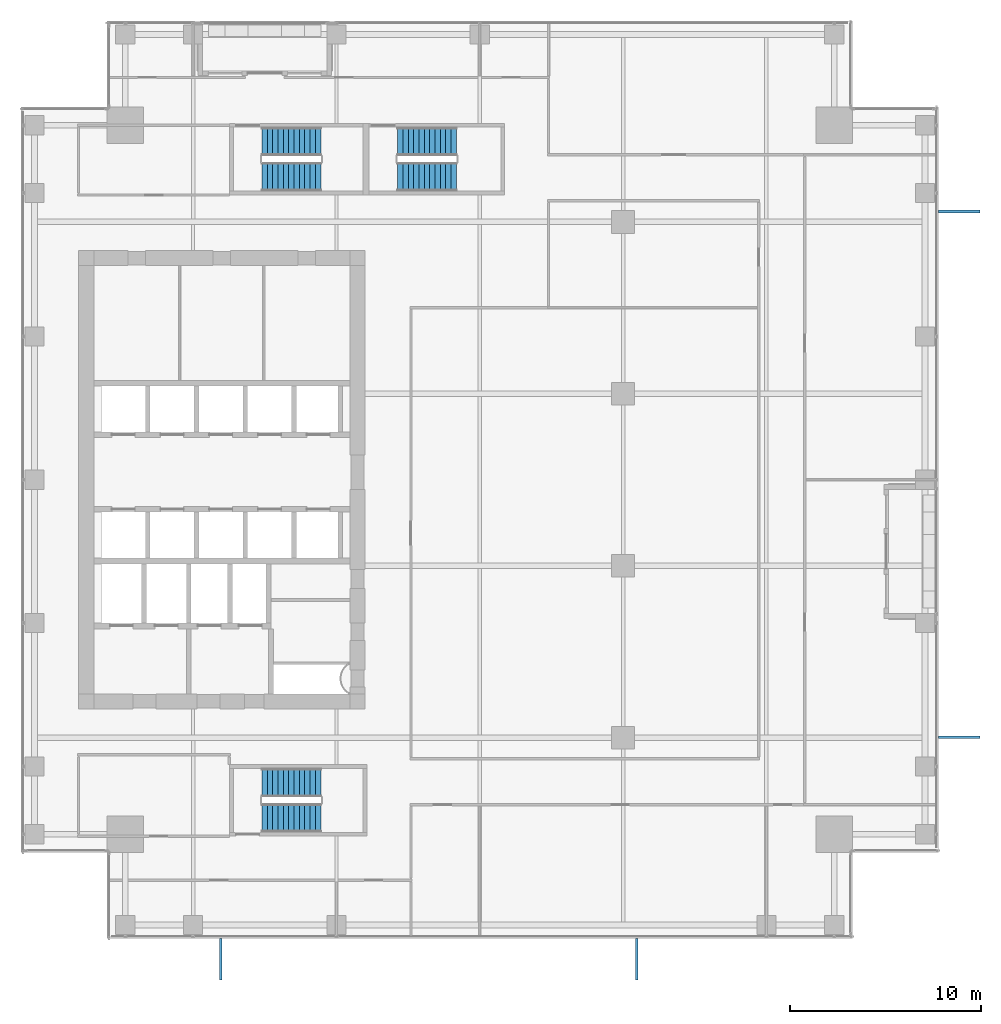
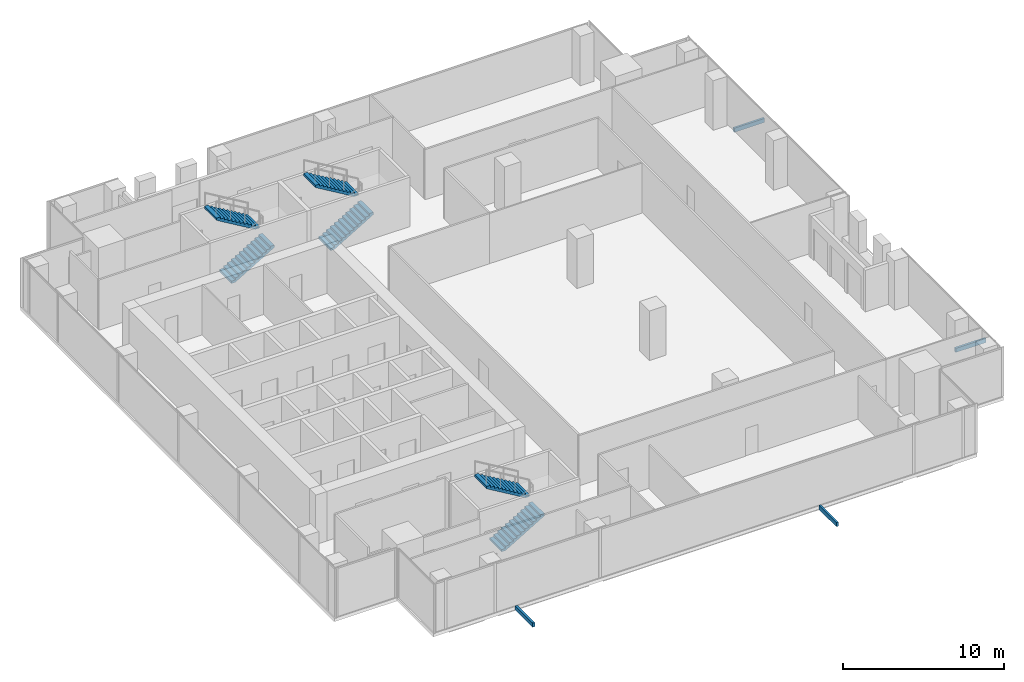
# One storey, part 37 of 40: 6 stair flights, 4 discrete accessories, 3 elements without a shape of their own.
"""IFC4 building model written with IfcOpenShell, lengths in metres."""

from ifc_helpers import new_model, si_unit, direction, frame, origin, origin_2d, place, context, subcontext, project, spatial, polyline, rectangle, outline, extrude, source, transform, mapped, material, type_object, element, aggregate, save


model = new_model("IFC4")

# Units and contexts
model_context = context("Model", 3, precision=1e-05, world=origin(), true_north=direction((0.0, 1.0)))
body_context = subcontext(model_context, "Body", "Model", "MODEL_VIEW")
ifc_project = project(units=[si_unit("LENGTHUNIT", "METRE"), si_unit("AREAUNIT", "SQUARE_METRE"), si_unit("VOLUMEUNIT", "CUBIC_METRE"), si_unit("PLANEANGLEUNIT", "RADIAN"), si_unit("MASSUNIT", "GRAM", prefix="KILO")], contexts=[model_context])

# Site, building, storey
site_placement = place(None, origin())
site = spatial("IfcSite", under=ifc_project, at=site_placement, CompositionType="ELEMENT")
building_placement = place(site_placement, origin())
building = spatial("IfcBuilding", under=site, at=building_placement, Name="Khomas Fold Tower", CompositionType="ELEMENT")
storey_placement = place(building_placement, frame((0.0, 0.0, 204.699951171875)))
storey = spatial("IfcBuildingStorey", under=building, at=storey_placement, Name="L45", CompositionType="ELEMENT", Elevation=204.699951171875)

# Stair, stair flights
ifc_material_1 = material(Name="Concrete C40/50", Category="concrete")
stair_type_1 = type_object("IfcStairType", Name="Stair ST1", PredefinedType="HALF_TURN_STAIR", material=ifc_material_1)
stair_1_placement = place(storey_placement, origin())
stair_1 = element("IfcStair", 1, at=stair_1_placement, inside=storey, type_object=stair_type_1, Name="L45 ST1", PredefinedType="HALF_TURN_STAIR")
ifc_material_2 = material(Name="Concrete C40/50", Category="concrete")
stair_flight_type_1 = type_object("IfcStairFlightType", Name="Stair flight 1500 ST1", PredefinedType="STRAIGHT", material=ifc_material_2)
shared_shape_1 = source(origin(), body_context, "Body", "SweptSolid", [
    extrude(outline(polyline([(0.0, 0.0), (0.0, 0.012939453125), (0.0, 0.025634765625), (0.0, 0.03857421875), (0.0, 0.05126953125), (0.0, 0.064208984375), (0.0, 0.076904296875), (0.0, 0.08984375), (0.0, 0.1025390625), (0.0, 0.115478515625), (0.0, 0.128173828125), (0.0, 0.14111328125), (0.0, 0.15380859375), (0.0, 0.166748046875), (0.280029296875, 0.166748046875), (0.280029296875, 0.333251953125), (0.56005859375, 0.333251953125), (0.56005859375, 0.5), (0.840087890625, 0.5), (0.840087890625, 0.666748046875), (1.1201171875, 0.666748046875), (1.1201171875, 0.833251953125), (1.39990234375, 0.833251953125), (1.39990234375, 1.0), (1.679931640625, 1.0), (1.679931640625, 1.166748046875), (1.9599609375, 1.166748046875), (1.9599609375, 1.333251953125), (2.239990234375, 1.333251953125), (2.239990234375, 1.5), (2.52001953125, 1.5), (2.52001953125, 1.666748046875), (2.800048828125, 1.666748046875), (2.800048828125, 1.833251953125), (3.080078125, 1.833251953125), (3.080078125, 2.0), (3.080078125, 1.973876953125), (3.080078125, 1.947509765625), (3.080078125, 1.92138671875), (3.080078125, 1.89501953125), (3.080078125, 1.868896484375), (3.080078125, 1.842529296875), (3.080078125, 1.81640625), (3.080078125, 1.7900390625), (3.080078125, 1.763916015625), (3.080078125, 1.737548828125), (3.080078125, 1.71142578125), (3.080078125, 1.68505859375), (3.080078125, 1.658935546875), (0.29296875, 0.0), (0.0, 0.0)])), frame((0.0, 0.75, 0.0), z_axis=(0.0, -1.0, 0.0), x_axis=(1.0, 0.0, 0.0)), (0.0, 0.0, 1.0), 1.5),
])
stair_flight_1_placement = place(storey_placement, frame((15.60009765625, 42.85009765625, 0.0), z_axis=(0.0, 0.0, 1.0), x_axis=(1.0, 0.0, 0.0)))
stair_flight_1 = element("IfcStairFlight", 2, at=stair_flight_1_placement, type_object=stair_flight_type_1, Name="ST1 flight 1", NumberOfRisers=12, NumberOfTreads=11, PredefinedType="STRAIGHT", RiserHeight=0.166666667, TreadLength=0.28, context=body_context, shape_type="MappedRepresentation", body=[
    mapped(shared_shape_1, transform((0.0, 0.0, 0.0))),
])
stair_flight_2_placement = place(storey_placement, frame((18.679931640625, 44.699951171875, 2.0), z_axis=(0.0, 0.0, 1.0), x_axis=(-1.0, 0.0, 0.0)))
stair_flight_2 = element("IfcStairFlight", 3, at=stair_flight_2_placement, type_object=stair_flight_type_1, Name="ST1 flight 2", NumberOfRisers=12, NumberOfTreads=11, PredefinedType="STRAIGHT", RiserHeight=0.166666667, TreadLength=0.28, context=body_context, shape_type="MappedRepresentation", body=[
    mapped(shared_shape_1, transform((0.0, 0.0, 0.0))),
])
aggregate(stair_1, [stair_flight_1, stair_flight_2])

ifc_material_3 = material(Name="Concrete C40/50", Category="concrete")
stair_type_2 = type_object("IfcStairType", Name="Stair ST2", PredefinedType="HALF_TURN_STAIR", material=ifc_material_3)
stair_2_placement = place(storey_placement, origin())
stair_2 = element("IfcStair", 4, at=stair_2_placement, inside=storey, type_object=stair_type_2, Name="L45 ST2", PredefinedType="HALF_TURN_STAIR")
ifc_material_4 = material(Name="Concrete C40/50", Category="concrete")
stair_flight_type_2 = type_object("IfcStairFlightType", Name="Stair flight 1500 ST2", PredefinedType="STRAIGHT", material=ifc_material_4)
stair_flight_3_placement = place(storey_placement, frame((15.60009765625, 9.300048828125, 0.0), z_axis=(0.0, 0.0, 1.0), x_axis=(1.0, 0.0, 0.0)))
stair_flight_3 = element("IfcStairFlight", 5, at=stair_flight_3_placement, type_object=stair_flight_type_2, Name="ST2 flight 1", NumberOfRisers=12, NumberOfTreads=11, PredefinedType="STRAIGHT", RiserHeight=0.166666667, TreadLength=0.28, context=body_context, shape_type="MappedRepresentation", body=[
    mapped(shared_shape_1, transform((0.0, 0.0, 0.0))),
])
stair_flight_4_placement = place(storey_placement, frame((18.679931640625, 11.14990234375, 2.0), z_axis=(0.0, 0.0, 1.0), x_axis=(-1.0, 0.0, 0.0)))
stair_flight_4 = element("IfcStairFlight", 6, at=stair_flight_4_placement, type_object=stair_flight_type_2, Name="ST2 flight 2", NumberOfRisers=12, NumberOfTreads=11, PredefinedType="STRAIGHT", RiserHeight=0.166666667, TreadLength=0.28, context=body_context, shape_type="MappedRepresentation", body=[
    mapped(shared_shape_1, transform((0.0, 0.0, 0.0))),
])
aggregate(stair_2, [stair_flight_3, stair_flight_4])

ifc_material_5 = material(Name="Concrete C40/50", Category="concrete")
stair_type_3 = type_object("IfcStairType", Name="Stair ST3", PredefinedType="HALF_TURN_STAIR", material=ifc_material_5)
stair_3_placement = place(storey_placement, origin())
stair_3 = element("IfcStair", 7, at=stair_3_placement, inside=storey, type_object=stair_type_3, Name="L45 ST3", PredefinedType="HALF_TURN_STAIR")
ifc_material_6 = material(Name="Concrete C40/50", Category="concrete")
stair_flight_type_3 = type_object("IfcStairFlightType", Name="Stair flight 1500 ST3", PredefinedType="STRAIGHT", material=ifc_material_6)
stair_flight_5_placement = place(storey_placement, frame((22.699951171875, 42.85009765625, 0.0), z_axis=(0.0, 0.0, 1.0), x_axis=(1.0, 0.0, 0.0)))
stair_flight_5 = element("IfcStairFlight", 8, at=stair_flight_5_placement, type_object=stair_flight_type_3, Name="ST3 flight 1", NumberOfRisers=12, NumberOfTreads=11, PredefinedType="STRAIGHT", RiserHeight=0.166666667, TreadLength=0.28, context=body_context, shape_type="MappedRepresentation", body=[
    mapped(shared_shape_1, transform((0.0, 0.0, 0.0))),
])
stair_flight_6_placement = place(storey_placement, frame((25.780029296875, 44.699951171875, 2.0), z_axis=(0.0, 0.0, 1.0), x_axis=(-1.0, 0.0, 0.0)))
stair_flight_6 = element("IfcStairFlight", 9, at=stair_flight_6_placement, type_object=stair_flight_type_3, Name="ST3 flight 2", NumberOfRisers=12, NumberOfTreads=11, PredefinedType="STRAIGHT", RiserHeight=0.166666667, TreadLength=0.28, context=body_context, shape_type="MappedRepresentation", body=[
    mapped(shared_shape_1, transform((0.0, 0.0, 0.0))),
])
aggregate(stair_3, [stair_flight_5, stair_flight_6])

# Discrete accessories
ifc_material_7 = material(Name="Stainless steel", Category="steel")
discrete_accessory_type = type_object("IfcDiscreteAccessoryType", Name="SK-Stainless steel stone bracket", PredefinedType="BRACKET", material=ifc_material_7)
shared_shape_2 = source(origin(), body_context, "Body", "SweptSolid", [
    extrude(rectangle(XDim=2.17822265625, YDim=0.14990234375, at=origin_2d()), origin(), (0.0, 0.0, 1.0), 0.31005859375),
])
for number, where, z_axis, x_axis, name in (
    (10, (13.447265625, 1.910888671875, -0.25), (0.0, 0.0, 1.0), (0.0, -1.0, 0.0), "Stone bracket L45 SS03-1-3"),
    (11, (35.2158203125, 1.910888671875, -0.25), (0.0, 0.0, 1.0), (0.0, -1.0, 0.0), "Stone bracket L45 SS06-2-3"),
    (12, (52.089111328125, 13.522705078125, -0.25), (0.0, 0.0, 1.0), (1.0, 0.0, 0.0), "Stone bracket L45 ES03-1-2"),
    (13, (52.089111328125, 41.034423828125, -0.25), (0.0, 0.0, 1.0), (1.0, 0.0, 0.0), "Stone bracket L45 ES06-2-2"),
):
    element("IfcDiscreteAccessory", number, at=place(storey_placement, frame(where, z_axis=z_axis, x_axis=x_axis)), inside=storey, type_object=discrete_accessory_type, Name=name, PredefinedType="BRACKET", context=body_context, shape_type="MappedRepresentation", body=[
        mapped(shared_shape_2, transform((0.0, 0.0, 0.0))),
    ])

save(model, "model.ifc")
